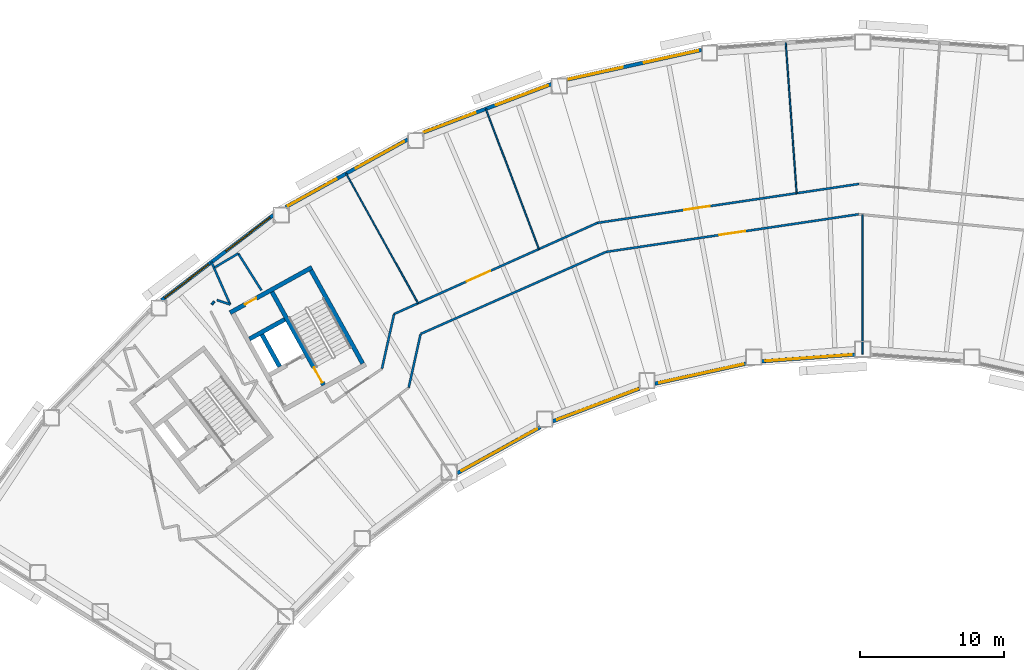
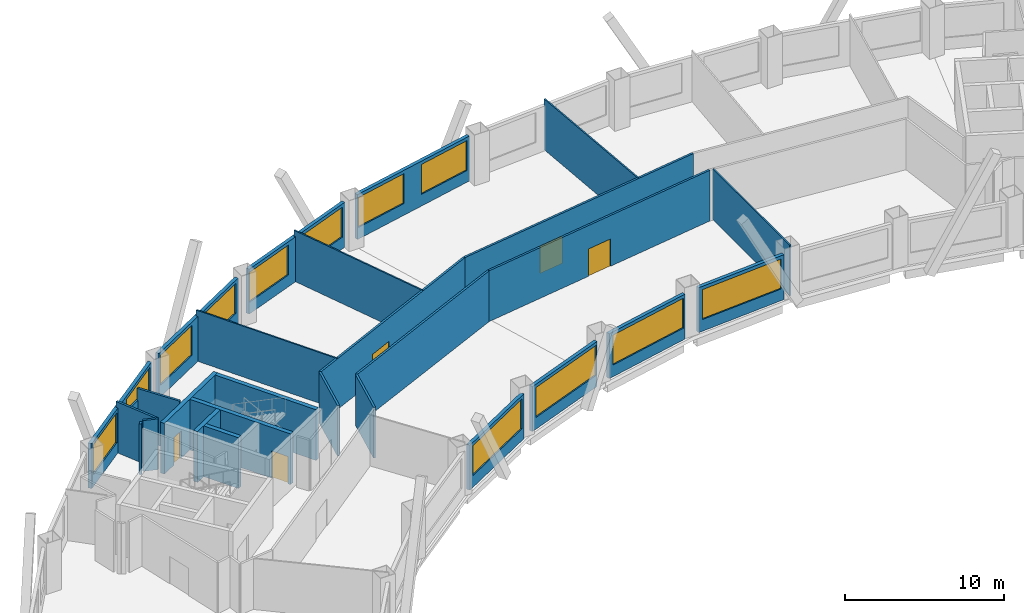
# One storey, part 4 of 11: 28 walls, 12 windows, 5 doors, 17 openings.
"""IFC4 building model written with IfcOpenShell, lengths in metres."""

from ifc_helpers import new_model, si_unit, direction, frame, frame_2d, origin, place, context, subcontext, project, spatial, rectangle, extrude, material, layer, layer_set, type_object, element, fill, save


model = new_model("IFC4")

# Units and contexts
model_context = context("Model", 3, precision=1e-05, world=origin(), true_north=direction((0.0, 1.0)))
body_context = subcontext(model_context, "Body", "Model", "MODEL_VIEW")
ifc_project = project(units=[si_unit("LENGTHUNIT", "METRE"), si_unit("AREAUNIT", "SQUARE_METRE"), si_unit("VOLUMEUNIT", "CUBIC_METRE"), si_unit("PLANEANGLEUNIT", "RADIAN"), si_unit("MASSUNIT", "GRAM", prefix="KILO")], contexts=[model_context])

# Site, building, storey
site_placement = place(None, origin())
site = spatial("IfcSite", under=ifc_project, at=site_placement, CompositionType="ELEMENT")
building_placement = place(site_placement, origin())
building = spatial("IfcBuilding", under=site, at=building_placement, Name="Tuul Gate Civic Tower", CompositionType="ELEMENT")
storey_placement = place(building_placement, frame((0.0, 0.0, 116.10009765625)))
storey = spatial("IfcBuildingStorey", under=building, at=storey_placement, Name="Level 26", CompositionType="ELEMENT", Elevation=116.10009765625)

# Wall
ifc_material_1 = material(Name="Concrete C50/60", Category="concrete")
ifc_layer_1 = layer(ifc_material_1, 0.300048828125)
ifc_layer_set_1 = layer_set([ifc_layer_1], Name="Concrete C50/60")
wall_type_1 = type_object("IfcWallType", Name="Core wall C50/60", PredefinedType="SHEAR", material=ifc_layer_set_1)
wall_1_placement = place(storey_placement, frame((-30.327392578125, -5.59716796875, 0.0), z_axis=(0.0, 0.0, 1.0), x_axis=(-0.874629840737, -0.484791338301, 0.0)))
element("IfcWall", 1, at=wall_1_placement, inside=storey, type_object=wall_type_1, Name="Core wall", PredefinedType="SHEAR", context=body_context, shape_type="SweptSolid", body=[
    extrude(rectangle(XDim=2.800048828125, YDim=0.300048828125, at=frame_2d((1.39990234375, 0.0))), origin(), (0.0, 0.0, 1.0), 3.89990234375),
])

# Wall, opening, door
wall_2_placement = place(storey_placement, frame((-28.4443359375, -1.98095703125, 0.0), z_axis=(0.0, 0.0, 1.0), x_axis=(-0.874629909008, -0.484791215132, 0.0)))
wall_2 = element("IfcWall", 2, at=wall_2_placement, inside=storey, type_object=wall_type_1, Name="Core wall", PredefinedType="SHEAR", context=body_context, shape_type="SweptSolid", body=[
    extrude(rectangle(XDim=6.5, YDim=0.300048828125, at=frame_2d((3.25, 0.0))), origin(), (0.0, 0.0, 1.0), 3.89990234375),
])
opening_1_placement = place(wall_2_placement, frame((4.425048828125, 0.0, 0.0)))
opening_1 = element("IfcOpeningElement", 3, at=opening_1_placement, cuts=wall_2, Name="Opening H-D18", PredefinedType="OPENING", context=body_context, shape_type="SweptSolid", body=[
    extrude(rectangle(XDim=0.89990234375, YDim=2.10009765625, at=frame_2d((0.449951171875, 1.050048828125))), frame((0.0, 0.16015625, 0.0), z_axis=(0.0, -1.0, 0.0), x_axis=(1.0, 0.0, 0.0)), (0.0, 0.0, 1.0), 0.320068359375),
])
ifc_material_2 = material(Name="Timber door leaf", Category="wood")
door_type_1 = type_object("IfcDoorType", Name="Door D09", OperationType="NOTDEFINED", PredefinedType="DOOR", material=ifc_material_2)
door_1_placement = place(opening_1_placement, origin())
door_1 = element("IfcDoor", 4, at=door_1_placement, inside=storey, type_object=door_type_1, Name="Door H-D18", OperationType="SINGLE_SWING_LEFT", OverallHeight=2.10009765625, OverallWidth=0.89990234375, PredefinedType="DOOR", context=body_context, shape_type="SweptSolid", body=[
    extrude(rectangle(XDim=0.89990234375, YDim=2.10009765625, at=frame_2d((0.449951171875, 1.050048828125))), frame((0.0, 0.02490234375, 0.0), z_axis=(0.0, -1.0, 0.0), x_axis=(1.0, 0.0, 0.0)), (0.0, 0.0, 1.0), 0.050048828125),
])
fill(opening_1, door_1)

# Wall
wall_3_placement = place(storey_placement, frame((-24.91552734375, -8.6572265625, 0.0), z_axis=(0.0, 0.0, 1.0), x_axis=(-0.484777133038, 0.874637714304, 0.0)))
element("IfcWall", 5, at=wall_3_placement, inside=storey, type_object=wall_type_1, Name="Core wall", PredefinedType="SHEAR", context=body_context, shape_type="SweptSolid", body=[
    extrude(rectangle(XDim=7.400146484375, YDim=0.300048828125, at=frame_2d((3.7001953125, 0.0))), origin(), (0.0, 0.0, 1.0), 3.89990234375),
])

# Wall, opening, door
wall_4_placement = place(storey_placement, frame((-27.626953125, -10.16015625, 0.0), z_axis=(0.0, 0.0, 1.0), x_axis=(-0.484751894226, 0.874651702704, 0.0)))
wall_4 = element("IfcWall", 6, at=wall_4_placement, inside=storey, type_object=wall_type_1, Name="Core wall", PredefinedType="SHEAR", context=body_context, shape_type="SweptSolid", body=[
    extrude(rectangle(XDim=7.39990234375, YDim=0.300048828125, at=frame_2d((3.699951171875, 0.0))), origin(), (0.0, 0.0, 1.0), 3.89990234375),
])
opening_2_placement = place(wall_4_placement, frame((0.199951171875, 0.0, 0.0)))
opening_2 = element("IfcOpeningElement", 7, at=opening_2_placement, cuts=wall_4, Name="Opening SD-ST-2", PredefinedType="OPENING", context=body_context, shape_type="SweptSolid", body=[
    extrude(rectangle(XDim=1.199951171875, YDim=2.10009765625, at=frame_2d((0.60009765625, 1.050048828125))), frame((0.0, 0.16015625, 0.0), z_axis=(0.0, -1.0, 0.0), x_axis=(1.0, 0.0, 0.0)), (0.0, 0.0, 1.0), 0.320068359375),
])
ifc_material_3 = material(Name="Steel", Category="steel")
door_type_2 = type_object("IfcDoorType", Name="Stair door", OperationType="NOTDEFINED", PredefinedType="DOOR", material=ifc_material_3)
door_2_placement = place(opening_2_placement, origin())
door_2 = element("IfcDoor", 8, at=door_2_placement, inside=storey, type_object=door_type_2, Name="Stair door ST-2", OperationType="SINGLE_SWING_LEFT", OverallHeight=2.10009765625, OverallWidth=1.199951171875, PredefinedType="DOOR", context=body_context, shape_type="SweptSolid", body=[
    extrude(rectangle(XDim=1.199951171875, YDim=2.10009765625, at=frame_2d((0.60009765625, 1.050048828125))), frame((0.0, 0.02490234375, 0.0), z_axis=(0.0, -1.0, 0.0), x_axis=(1.0, 0.0, 0.0)), (0.0, 0.0, 1.0), 0.050048828125),
])
fill(opening_2, door_2)

# Wall
wall_5_placement = place(storey_placement, frame((-30.680419921875, -8.8798828125, 0.0), z_axis=(0.0, 0.0, 1.0), x_axis=(-0.484724115216, 0.874667097888, 0.0)))
element("IfcWall", 9, at=wall_5_placement, inside=storey, type_object=wall_type_1, Name="Core wall", PredefinedType="SHEAR", context=body_context, shape_type="SweptSolid", body=[
    extrude(rectangle(XDim=2.550048828125, YDim=0.300048828125, at=frame_2d((1.27490234375, 0.0))), origin(), (0.0, 0.0, 1.0), 3.89990234375),
])

# Wall, opening, door
ifc_material_4 = material(Name="Gypsum board partition")
ifc_layer_2 = layer(ifc_material_4, 0.14990234375)
ifc_layer_set_2 = layer_set([ifc_layer_2], Name="Gypsum board partition")
wall_type_2 = type_object("IfcWallType", Name="Corridor wall P150", PredefinedType="PARTITIONING", material=ifc_layer_set_2)
wall_6_placement = place(storey_placement, frame((-8.611083984375, 1.110107421875, 0.0), z_axis=(0.0, 0.0, 1.0), x_axis=(0.989097137004, 0.147264569974, 0.0)))
wall_6 = element("IfcWall", 10, at=wall_6_placement, inside=storey, type_object=wall_type_2, Name="p023", PredefinedType="PARTITIONING", context=body_context, shape_type="SweptSolid", body=[
    extrude(rectangle(XDim=18.377197265625, YDim=0.14990234375, at=frame_2d((9.1884765625, 0.0))), origin(), (0.0, 0.0, 1.0), 3.89990234375),
])
opening_3_placement = place(wall_6_placement, frame((6.1005859375, 0.0, 0.0)))
opening_3 = element("IfcOpeningElement", 11, at=opening_3_placement, cuts=wall_6, Name="Opening H-D07", PredefinedType="OPENING", context=body_context, shape_type="SweptSolid", body=[
    extrude(rectangle(XDim=1.800048828125, YDim=2.10009765625, at=frame_2d((0.89990234375, 1.050048828125))), frame((0.0, 0.0849609375, 0.0), z_axis=(0.0, -1.0, 0.0), x_axis=(1.0, 0.0, 0.0)), (0.0, 0.0, 1.0), 0.169921875),
])
ifc_material_5 = material(Name="Timber door leaf, double", Category="wood")
door_type_3 = type_object("IfcDoorType", Name="Door D18", OperationType="DOUBLE_DOOR_SINGLE_SWING", PredefinedType="DOOR", material=ifc_material_5)
door_3_placement = place(opening_3_placement, origin())
door_3 = element("IfcDoor", 12, at=door_3_placement, inside=storey, type_object=door_type_3, Name="Door H-D07", OperationType="DOUBLE_DOOR_SINGLE_SWING", OverallHeight=2.10009765625, OverallWidth=1.800048828125, PredefinedType="DOOR", context=body_context, shape_type="SweptSolid", body=[
    extrude(rectangle(XDim=1.800048828125, YDim=2.10009765625, at=frame_2d((0.89990234375, 1.050048828125))), frame((0.0, 0.02490234375, 0.0), z_axis=(0.0, -1.0, 0.0), x_axis=(1.0, 0.0, 0.0)), (0.0, 0.0, 1.0), 0.050048828125),
])
fill(opening_3, door_3)

wall_7_placement = place(storey_placement, frame((-22.732421875, -5.221435546875, 0.0), z_axis=(0.0, 0.0, 1.0), x_axis=(0.912478254824, 0.409125206352, 0.0)))
wall_7 = element("IfcWall", 13, at=wall_7_placement, inside=storey, type_object=wall_type_2, Name="p025", PredefinedType="PARTITIONING", context=body_context, shape_type="SweptSolid", body=[
    extrude(rectangle(XDim=15.475830078125, YDim=0.14990234375, at=frame_2d((7.73779296875, 0.0))), origin(), (0.0, 0.0, 1.0), 3.89990234375),
])
opening_4_placement = place(wall_7_placement, frame((5.525390625, 0.0, 0.0)))
opening_4 = element("IfcOpeningElement", 14, at=opening_4_placement, cuts=wall_7, Name="Opening H-D08", PredefinedType="OPENING", context=body_context, shape_type="SweptSolid", body=[
    extrude(rectangle(XDim=1.800048828125, YDim=2.10009765625, at=frame_2d((0.89990234375, 1.050048828125))), frame((0.0, 0.0849609375, 0.0), z_axis=(0.0, -1.0, 0.0), x_axis=(1.0, 0.0, 0.0)), (0.0, 0.0, 1.0), 0.169921875),
])
door_4_placement = place(opening_4_placement, origin())
door_4 = element("IfcDoor", 15, at=door_4_placement, inside=storey, type_object=door_type_3, Name="Door H-D08", OperationType="DOUBLE_DOOR_SINGLE_SWING", OverallHeight=2.10009765625, OverallWidth=1.800048828125, PredefinedType="DOOR", context=body_context, shape_type="SweptSolid", body=[
    extrude(rectangle(XDim=1.800048828125, YDim=2.10009765625, at=frame_2d((0.89990234375, 1.050048828125))), frame((0.0, 0.02490234375, 0.0), z_axis=(0.0, -1.0, 0.0), x_axis=(1.0, 0.0, 0.0)), (0.0, 0.0, 1.0), 0.050048828125),
])
fill(opening_4, door_4)

# Walls
wall_8_placement = place(storey_placement, frame((-23.57421875, -9.015380859375, 0.0), z_axis=(0.0, 0.0, 1.0), x_axis=(0.216611161304, 0.976257960172, 0.0)))
element("IfcWall", 16, at=wall_8_placement, inside=storey, type_object=wall_type_2, Name="p028", PredefinedType="PARTITIONING", context=body_context, shape_type="SweptSolid", body=[
    extrude(rectangle(XDim=3.88623046875, YDim=0.14990234375, at=frame_2d((1.943115234375, 0.0))), origin(), (0.0, 0.0, 1.0), 3.89990234375),
])
wall_9_placement = place(storey_placement, frame((-33.56298828125, -1.016845703125, 0.0), z_axis=(0.0, 0.0, 1.0), x_axis=(0.533153011453, -0.846018833347, 0.0)))
element("IfcWall", 17, at=wall_9_placement, inside=storey, type_object=wall_type_2, Name="p030", PredefinedType="PARTITIONING", context=body_context, shape_type="SweptSolid", body=[
    extrude(rectangle(XDim=3.030029296875, YDim=0.14990234375, at=frame_2d((1.51513671875, 0.0))), origin(), (0.0, 0.0, 1.0), 3.89990234375),
])
wall_10_placement = place(storey_placement, frame((-35.422119140625, -1.613037109375, 0.0), z_axis=(0.0, 0.0, 1.0), x_axis=(0.40375398876, -0.914867595098, 0.0)))
element("IfcWall", 18, at=wall_10_placement, inside=storey, type_object=wall_type_2, Name="p033", PredefinedType="PARTITIONING", context=body_context, shape_type="SweptSolid", body=[
    extrude(rectangle(XDim=3.222412109375, YDim=0.14990234375, at=frame_2d((1.611328125, 0.0))), origin(), (0.0, 0.0, 1.0), 3.89990234375),
])
wall_11_placement = place(storey_placement, frame((-35.044677734375, -4.2470703125, 0.0), z_axis=(0.0, 0.0, 1.0), x_axis=(0.946789524238, -0.321853377787, 0.0)))
element("IfcWall", 19, at=wall_11_placement, inside=storey, type_object=wall_type_2, Name="p034", PredefinedType="PARTITIONING", context=body_context, shape_type="SweptSolid", body=[
    extrude(rectangle(XDim=0.9755859375, YDim=0.14990234375, at=frame_2d((0.48779296875, 0.0))), origin(), (0.0, 0.0, 1.0), 3.89990234375),
])
wall_12_placement = place(storey_placement, frame((-35.398193359375, -4.55029296875, 0.0), z_axis=(0.0, 0.0, 1.0), x_axis=(0.637454263695, 0.770488196988, 0.0)))
element("IfcWall", 20, at=wall_12_placement, inside=storey, type_object=wall_type_2, Name="p035", PredefinedType="PARTITIONING", context=body_context, shape_type="SweptSolid", body=[
    extrude(rectangle(XDim=0.26416015625, YDim=0.14990234375, at=frame_2d((0.132080078125, 0.0))), origin(), (0.0, 0.0, 1.0), 3.89990234375),
])
wall_13_placement = place(storey_placement, frame((-21.7158203125, -10.33349609375, 0.0), z_axis=(0.0, 0.0, 1.0), x_axis=(0.216652269261, 0.97624883827, 0.0)))
element("IfcWall", 21, at=wall_13_placement, inside=storey, type_object=wall_type_2, Name="p071", PredefinedType="PARTITIONING", context=body_context, shape_type="SweptSolid", body=[
    extrude(rectangle(XDim=3.81005859375, YDim=0.14990234375, at=frame_2d((1.905029296875, 0.0))), origin(), (0.0, 0.0, 1.0), 3.89990234375),
])
wall_14_placement = place(storey_placement, frame((-20.87841796875, -6.599365234375, 0.0), z_axis=(0.0, 0.0, 1.0), x_axis=(0.914544225777, 0.404485919529, 0.0)))
element("IfcWall", 22, at=wall_14_placement, inside=storey, type_object=wall_type_2, Name="p072", PredefinedType="PARTITIONING", context=body_context, shape_type="SweptSolid", body=[
    extrude(rectangle(XDim=14.069580078125, YDim=0.14990234375, at=frame_2d((7.03466796875, 0.0))), origin(), (0.0, 0.0, 1.0), 3.89990234375),
])

# Wall, opening, door
wall_15_placement = place(storey_placement, frame((-8.00537109375, -0.90673828125, 0.0), z_axis=(0.0, 0.0, 1.0), x_axis=(0.989069516595, 0.147449962167, 0.0)))
wall_15 = element("IfcWall", 23, at=wall_15_placement, inside=storey, type_object=wall_type_2, Name="p073", PredefinedType="PARTITIONING", context=body_context, shape_type="SweptSolid", body=[
    extrude(rectangle(XDim=17.738037109375, YDim=0.14990234375, at=frame_2d((8.869140625, 0.0))), origin(), (0.0, 0.0, 1.0), 3.89990234375),
])
opening_5_placement = place(wall_15_placement, frame((7.968994140625, 0.0, 0.0)))
opening_5 = element("IfcOpeningElement", 24, at=opening_5_placement, cuts=wall_15, Name="Opening H-D12", PredefinedType="OPENING", context=body_context, shape_type="SweptSolid", body=[
    extrude(rectangle(XDim=1.800048828125, YDim=2.10009765625, at=frame_2d((0.89990234375, 1.050048828125))), frame((0.0, 0.0849609375, 0.0), z_axis=(0.0, -1.0, 0.0), x_axis=(1.0, 0.0, 0.0)), (0.0, 0.0, 1.0), 0.169921875),
])
door_5_placement = place(opening_5_placement, frame((1.800048828125, 0.0, 0.0), z_axis=(0.0, 0.0, 1.0), x_axis=(-1.0, 0.0, 0.0)))
door_5 = element("IfcDoor", 25, at=door_5_placement, inside=storey, type_object=door_type_3, Name="Door H-D12", OperationType="DOUBLE_DOOR_SINGLE_SWING", OverallHeight=2.10009765625, OverallWidth=1.800048828125, PredefinedType="DOOR", context=body_context, shape_type="SweptSolid", body=[
    extrude(rectangle(XDim=1.800048828125, YDim=2.10009765625, at=frame_2d((0.900146484375, 1.050048828125))), frame((0.0, 0.02490234375, 0.0), z_axis=(0.0, -1.0, 0.0), x_axis=(1.0, 0.0, 0.0)), (0.0, 0.0, 1.0), 0.050048828125),
])
fill(opening_5, door_5)

# Wall
ifc_material_6 = material(Name="Gypsum board partition")
ifc_layer_3 = layer(ifc_material_6, 0.14990234375)
ifc_layer_set_3 = layer_set([ifc_layer_3], Name="Gypsum board partition")
wall_type_3 = type_object("IfcWallType", Name="Corridor wall P150 3000 HIGH", PredefinedType="PARTITIONING", material=ifc_layer_set_3)
wall_16_placement = place(storey_placement, frame((-35.21240234375, -1.9912109375, 0.0), z_axis=(0.0, 0.0, 1.0), x_axis=(0.860918956653, 0.50874212532, 0.0)))
element("IfcWall", 26, at=wall_16_placement, inside=storey, type_object=wall_type_3, Name="p032", PredefinedType="PARTITIONING", context=body_context, shape_type="SweptSolid", body=[
    extrude(rectangle(XDim=1.92578125, YDim=0.14990234375, at=frame_2d((0.962890625, 0.0))), origin(), (0.0, 0.0, 1.0), 3.0),
])

# Wall, openings, windows
ifc_material_7 = material(Name="Precast concrete C40/50", Category="concrete")
ifc_layer_4 = layer(ifc_material_7, 0.25)
ifc_layer_set_4 = layer_set([ifc_layer_4], Name="Precast concrete C40/50")
wall_type_4 = type_object("IfcWallType", Name="External wall", PredefinedType="STANDARD", material=ifc_layer_set_4)
wall_17_placement = place(storey_placement, frame((-1.37109375, 13.126220703125, 0.0), z_axis=(0.0, 0.0, 1.0), x_axis=(-0.976556736289, -0.215260170047, 0.0)))
wall_17 = element("IfcWall", 27, at=wall_17_placement, inside=storey, type_object=wall_type_4, Name="External wall", PredefinedType="STANDARD", context=body_context, shape_type="SweptSolid", body=[
    extrude(rectangle(XDim=9.55078125, YDim=0.25, at=frame_2d((4.775390625, 0.0))), origin(), (0.0, 0.0, 1.0), 3.449951171875),
])
opening_6_placement = place(wall_17_placement, frame((0.236328125, 0.0, 0.89990234375)))
opening_6 = element("IfcOpeningElement", 28, at=opening_6_placement, cuts=wall_17, Name="Opening W22", PredefinedType="OPENING", context=body_context, shape_type="SweptSolid", body=[
    extrude(rectangle(XDim=3.85009765625, YDim=2.300048828125, at=frame_2d((1.925048828125, 1.14990234375))), frame((0.0, 0.135009765625, 0.0), z_axis=(0.0, -1.0, 0.0), x_axis=(1.0, 0.0, 0.0)), (0.0, 0.0, 1.0), 0.27001953125),
])
opening_7_placement = place(wall_17_placement, frame((5.607177734375, 0.0, 0.89990234375)))
opening_7 = element("IfcOpeningElement", 29, at=opening_7_placement, cuts=wall_17, Name="Opening W22", PredefinedType="OPENING", context=body_context, shape_type="SweptSolid", body=[
    extrude(rectangle(XDim=3.85009765625, YDim=2.300048828125, at=frame_2d((1.925048828125, 1.14990234375))), frame((0.0, 0.135009765625, 0.0), z_axis=(0.0, -1.0, 0.0), x_axis=(1.0, 0.0, 0.0)), (0.0, 0.0, 1.0), 0.27001953125),
])
ifc_material_8 = material(Name="Glass", Category="glass")
window_type_1 = type_object("IfcWindowType", Name="Window W22 3850 x 2300", PartitioningType="SINGLE_PANEL", PredefinedType="WINDOW", material=ifc_material_8)
window_1_placement = place(opening_6_placement, origin())
window_1 = element("IfcWindow", 30, at=window_1_placement, inside=storey, type_object=window_type_1, Name="Window", OverallHeight=2.300048828125, OverallWidth=3.85009765625, PartitioningType="SINGLE_PANEL", PredefinedType="WINDOW", context=body_context, shape_type="SweptSolid", body=[
    extrude(rectangle(XDim=3.85009765625, YDim=2.300048828125, at=frame_2d((1.925048828125, 1.14990234375))), frame((0.0, 0.030029296875, 0.0), z_axis=(0.0, -1.0, 0.0), x_axis=(1.0, 0.0, 0.0)), (0.0, 0.0, 1.0), 0.06005859375),
])
fill(opening_6, window_1)
window_2_placement = place(opening_7_placement, origin())
window_2 = element("IfcWindow", 31, at=window_2_placement, inside=storey, type_object=window_type_1, Name="Window", OverallHeight=2.300048828125, OverallWidth=3.85009765625, PartitioningType="SINGLE_PANEL", PredefinedType="WINDOW", context=body_context, shape_type="SweptSolid", body=[
    extrude(rectangle(XDim=3.85009765625, YDim=2.300048828125, at=frame_2d((1.925048828125, 1.14990234375))), frame((0.0, 0.030029296875, 0.0), z_axis=(0.0, -1.0, 0.0), x_axis=(1.0, 0.0, 0.0)), (0.0, 0.0, 1.0), 0.06005859375),
])
fill(opening_7, window_2)

wall_18_placement = place(storey_placement, frame((-11.798095703125, 10.755859375, 0.0), z_axis=(0.0, 0.0, 1.0), x_axis=(-0.935382365762, -0.353637992617, 0.0)))
wall_18 = element("IfcWall", 32, at=wall_18_placement, inside=storey, type_object=wall_type_4, Name="External wall", PredefinedType="STANDARD", context=body_context, shape_type="SweptSolid", body=[
    extrude(rectangle(XDim=9.51806640625, YDim=0.25, at=frame_2d((4.759033203125, 0.0))), origin(), (0.0, 0.0, 1.0), 3.449951171875),
])
opening_8_placement = place(wall_18_placement, frame((0.262451171875, 0.0, 0.89990234375)))
opening_8 = element("IfcOpeningElement", 33, at=opening_8_placement, cuts=wall_18, Name="Opening W22", PredefinedType="OPENING", context=body_context, shape_type="SweptSolid", body=[
    extrude(rectangle(XDim=3.85009765625, YDim=2.300048828125, at=frame_2d((1.925048828125, 1.14990234375))), frame((0.0, 0.135009765625, 0.0), z_axis=(0.0, -1.0, 0.0), x_axis=(1.0, 0.0, 0.0)), (0.0, 0.0, 1.0), 0.27001953125),
])
opening_9_placement = place(wall_18_placement, frame((5.634033203125, 0.0, 0.89990234375)))
opening_9 = element("IfcOpeningElement", 34, at=opening_9_placement, cuts=wall_18, Name="Opening W22", PredefinedType="OPENING", context=body_context, shape_type="SweptSolid", body=[
    extrude(rectangle(XDim=3.85009765625, YDim=2.300048828125, at=frame_2d((1.925048828125, 1.14990234375))), frame((0.0, 0.135009765625, 0.0), z_axis=(0.0, -1.0, 0.0), x_axis=(1.0, 0.0, 0.0)), (0.0, 0.0, 1.0), 0.27001953125),
])
window_3_placement = place(opening_8_placement, origin())
window_3 = element("IfcWindow", 35, at=window_3_placement, inside=storey, type_object=window_type_1, Name="Window", OverallHeight=2.300048828125, OverallWidth=3.85009765625, PartitioningType="SINGLE_PANEL", PredefinedType="WINDOW", context=body_context, shape_type="SweptSolid", body=[
    extrude(rectangle(XDim=3.85009765625, YDim=2.300048828125, at=frame_2d((1.925048828125, 1.14990234375))), frame((0.0, 0.030029296875, 0.0), z_axis=(0.0, -1.0, 0.0), x_axis=(1.0, 0.0, 0.0)), (0.0, 0.0, 1.0), 0.06005859375),
])
fill(opening_8, window_3)
window_4_placement = place(opening_9_placement, origin())
window_4 = element("IfcWindow", 36, at=window_4_placement, inside=storey, type_object=window_type_1, Name="Window", OverallHeight=2.300048828125, OverallWidth=3.85009765625, PartitioningType="SINGLE_PANEL", PredefinedType="WINDOW", context=body_context, shape_type="SweptSolid", body=[
    extrude(rectangle(XDim=3.85009765625, YDim=2.300048828125, at=frame_2d((1.925048828125, 1.14990234375))), frame((0.0, 0.030029296875, 0.0), z_axis=(0.0, -1.0, 0.0), x_axis=(1.0, 0.0, 0.0)), (0.0, 0.0, 1.0), 0.06005859375),
])
fill(opening_9, window_4)

wall_19_placement = place(storey_placement, frame((-21.784912109375, 6.907470703125, 0.0), z_axis=(0.0, 0.0, 1.0), x_axis=(-0.874619623874, -0.484809770461, 0.0)))
wall_19 = element("IfcWall", 37, at=wall_19_placement, inside=storey, type_object=wall_type_4, Name="External wall", PredefinedType="STANDARD", context=body_context, shape_type="SweptSolid", body=[
    extrude(rectangle(XDim=9.680908203125, YDim=0.25, at=frame_2d((4.84033203125, 0.0))), origin(), (0.0, 0.0, 1.0), 3.449951171875),
])
opening_10_placement = place(wall_19_placement, frame((0.279541015625, 0.0, 0.89990234375)))
opening_10 = element("IfcOpeningElement", 38, at=opening_10_placement, cuts=wall_19, Name="Opening W22", PredefinedType="OPENING", context=body_context, shape_type="SweptSolid", body=[
    extrude(rectangle(XDim=3.85009765625, YDim=2.300048828125, at=frame_2d((1.925048828125, 1.14990234375))), frame((0.0, 0.135009765625, 0.0), z_axis=(0.0, -1.0, 0.0), x_axis=(1.0, 0.0, 0.0)), (0.0, 0.0, 1.0), 0.27001953125),
])
opening_11_placement = place(wall_19_placement, frame((5.650634765625, 0.0, 0.89990234375)))
opening_11 = element("IfcOpeningElement", 39, at=opening_11_placement, cuts=wall_19, Name="Opening W22", PredefinedType="OPENING", context=body_context, shape_type="SweptSolid", body=[
    extrude(rectangle(XDim=3.85009765625, YDim=2.300048828125, at=frame_2d((1.925048828125, 1.14990234375))), frame((0.0, 0.135009765625, 0.0), z_axis=(0.0, -1.0, 0.0), x_axis=(1.0, 0.0, 0.0)), (0.0, 0.0, 1.0), 0.27001953125),
])
window_5_placement = place(opening_10_placement, origin())
window_5 = element("IfcWindow", 40, at=window_5_placement, inside=storey, type_object=window_type_1, Name="Window", OverallHeight=2.300048828125, OverallWidth=3.85009765625, PartitioningType="SINGLE_PANEL", PredefinedType="WINDOW", context=body_context, shape_type="SweptSolid", body=[
    extrude(rectangle(XDim=3.85009765625, YDim=2.300048828125, at=frame_2d((1.925048828125, 1.14990234375))), frame((0.0, 0.030029296875, 0.0), z_axis=(0.0, -1.0, 0.0), x_axis=(1.0, 0.0, 0.0)), (0.0, 0.0, 1.0), 0.06005859375),
])
fill(opening_10, window_5)
window_6_placement = place(opening_11_placement, origin())
window_6 = element("IfcWindow", 41, at=window_6_placement, inside=storey, type_object=window_type_1, Name="Window", OverallHeight=2.300048828125, OverallWidth=3.85009765625, PartitioningType="SINGLE_PANEL", PredefinedType="WINDOW", context=body_context, shape_type="SweptSolid", body=[
    extrude(rectangle(XDim=3.85009765625, YDim=2.300048828125, at=frame_2d((1.925048828125, 1.14990234375))), frame((0.0, 0.030029296875, 0.0), z_axis=(0.0, -1.0, 0.0), x_axis=(1.0, 0.0, 0.0)), (0.0, 0.0, 1.0), 0.06005859375),
])
fill(opening_11, window_6)

wall_20_placement = place(storey_placement, frame((-31.1240234375, 1.6533203125, 0.0), z_axis=(0.0, 0.0, 1.0), x_axis=(-0.795622492649, -0.605792744419, 0.0)))
wall_20 = element("IfcWall", 42, at=wall_20_placement, inside=storey, type_object=wall_type_4, Name="External wall", PredefinedType="STANDARD", context=body_context, shape_type="SweptSolid", body=[
    extrude(rectangle(XDim=9.751220703125, YDim=0.25, at=frame_2d((4.87548828125, 0.0))), origin(), (0.0, 0.0, 1.0), 3.449951171875),
])
opening_12_placement = place(wall_20_placement, frame((0.283447265625, 0.0, 0.89990234375)))
opening_12 = element("IfcOpeningElement", 43, at=opening_12_placement, cuts=wall_20, Name="Opening W22", PredefinedType="OPENING", context=body_context, shape_type="SweptSolid", body=[
    extrude(rectangle(XDim=3.85009765625, YDim=2.300048828125, at=frame_2d((1.925048828125, 1.14990234375))), frame((0.0, 0.135009765625, 0.0), z_axis=(0.0, -1.0, 0.0), x_axis=(1.0, 0.0, 0.0)), (0.0, 0.0, 1.0), 0.27001953125),
])
opening_13_placement = place(wall_20_placement, frame((5.65478515625, 0.0, 0.89990234375)))
opening_13 = element("IfcOpeningElement", 44, at=opening_13_placement, cuts=wall_20, Name="Opening W22", PredefinedType="OPENING", context=body_context, shape_type="SweptSolid", body=[
    extrude(rectangle(XDim=3.85009765625, YDim=2.300048828125, at=frame_2d((1.925048828125, 1.14990234375))), frame((0.0, 0.135009765625, 0.0), z_axis=(0.0, -1.0, 0.0), x_axis=(1.0, 0.0, 0.0)), (0.0, 0.0, 1.0), 0.27001953125),
])
window_7_placement = place(opening_12_placement, origin())
window_7 = element("IfcWindow", 45, at=window_7_placement, inside=storey, type_object=window_type_1, Name="Window", OverallHeight=2.300048828125, OverallWidth=3.85009765625, PartitioningType="SINGLE_PANEL", PredefinedType="WINDOW", context=body_context, shape_type="SweptSolid", body=[
    extrude(rectangle(XDim=3.85009765625, YDim=2.300048828125, at=frame_2d((1.925048828125, 1.14990234375))), frame((0.0, 0.030029296875, 0.0), z_axis=(0.0, -1.0, 0.0), x_axis=(1.0, 0.0, 0.0)), (0.0, 0.0, 1.0), 0.06005859375),
])
fill(opening_12, window_7)
window_8_placement = place(opening_13_placement, origin())
window_8 = element("IfcWindow", 46, at=window_8_placement, inside=storey, type_object=window_type_1, Name="Window", OverallHeight=2.300048828125, OverallWidth=3.85009765625, PartitioningType="SINGLE_PANEL", PredefinedType="WINDOW", context=body_context, shape_type="SweptSolid", body=[
    extrude(rectangle(XDim=3.85009765625, YDim=2.300048828125, at=frame_2d((1.925048828125, 1.14990234375))), frame((0.0, 0.030029296875, 0.0), z_axis=(0.0, -1.0, 0.0), x_axis=(1.0, 0.0, 0.0)), (0.0, 0.0, 1.0), 0.06005859375),
])
fill(opening_13, window_8)

# Wall, opening, window
wall_21_placement = place(storey_placement, frame((-18.347900390625, -16.2841796875, 0.0), z_axis=(0.0, 0.0, 1.0), x_axis=(0.874603961928, 0.484838024272, 0.0)))
wall_21 = element("IfcWall", 47, at=wall_21_placement, inside=storey, type_object=wall_type_4, Name="External wall", PredefinedType="STANDARD", context=body_context, shape_type="SweptSolid", body=[
    extrude(rectangle(XDim=6.594482421875, YDim=0.25, at=frame_2d((3.29736328125, 0.0))), origin(), (0.0, 0.0, 1.0), 3.449951171875),
])
opening_14_placement = place(wall_21_placement, frame((0.34765625, 0.0, 0.89990234375)))
opening_14 = element("IfcOpeningElement", 48, at=opening_14_placement, cuts=wall_21, Name="Opening W26", PredefinedType="OPENING", context=body_context, shape_type="SweptSolid", body=[
    extrude(rectangle(XDim=6.0, YDim=2.300048828125, at=frame_2d((3.0, 1.14990234375))), frame((0.0, 0.135009765625, 0.0), z_axis=(0.0, -1.0, 0.0), x_axis=(1.0, 0.0, 0.0)), (0.0, 0.0, 1.0), 0.27001953125),
])
ifc_material_9 = material(Name="Glass", Category="glass")
window_type_2 = type_object("IfcWindowType", Name="Window W26 6000 x 2300", PartitioningType="SINGLE_PANEL", PredefinedType="WINDOW", material=ifc_material_9)
window_9_placement = place(opening_14_placement, origin())
window_9 = element("IfcWindow", 49, at=window_9_placement, inside=storey, type_object=window_type_2, Name="Window", OverallHeight=2.300048828125, OverallWidth=6.0, PartitioningType="SINGLE_PANEL", PredefinedType="WINDOW", context=body_context, shape_type="SweptSolid", body=[
    extrude(rectangle(XDim=6.0, YDim=2.300048828125, at=frame_2d((3.0, 1.14990234375))), frame((0.0, 0.030029296875, 0.0), z_axis=(0.0, -1.0, 0.0), x_axis=(1.0, 0.0, 0.0)), (0.0, 0.0, 1.0), 0.06005859375),
])
fill(opening_14, window_9)

wall_22_placement = place(storey_placement, frame((-11.7080078125, -12.67626953125, 0.0), z_axis=(0.0, 0.0, 1.0), x_axis=(0.935366053459, 0.353681136106, 0.0)))
wall_22 = element("IfcWall", 50, at=wall_22_placement, inside=storey, type_object=wall_type_4, Name="External wall", PredefinedType="STANDARD", context=body_context, shape_type="SweptSolid", body=[
    extrude(rectangle(XDim=6.429931640625, YDim=0.25, at=frame_2d((3.21484375, 0.0))), origin(), (0.0, 0.0, 1.0), 3.449951171875),
])
opening_15_placement = place(wall_22_placement, frame((0.3310546875, 0.0, 0.89990234375)))
opening_15 = element("IfcOpeningElement", 51, at=opening_15_placement, cuts=wall_22, Name="Opening W26", PredefinedType="OPENING", context=body_context, shape_type="SweptSolid", body=[
    extrude(rectangle(XDim=6.0, YDim=2.300048828125, at=frame_2d((3.0, 1.14990234375))), frame((0.0, 0.135009765625, 0.0), z_axis=(0.0, -1.0, 0.0), x_axis=(1.0, 0.0, 0.0)), (0.0, 0.0, 1.0), 0.27001953125),
])
window_10_placement = place(opening_15_placement, origin())
window_10 = element("IfcWindow", 52, at=window_10_placement, inside=storey, type_object=window_type_2, Name="Window", OverallHeight=2.300048828125, OverallWidth=6.0, PartitioningType="SINGLE_PANEL", PredefinedType="WINDOW", context=body_context, shape_type="SweptSolid", body=[
    extrude(rectangle(XDim=6.0, YDim=2.300048828125, at=frame_2d((3.0, 1.14990234375))), frame((0.0, 0.030029296875, 0.0), z_axis=(0.0, -1.0, 0.0), x_axis=(1.0, 0.0, 0.0)), (0.0, 0.0, 1.0), 0.06005859375),
])
fill(opening_15, window_10)

wall_23_placement = place(storey_placement, frame((-4.60693359375, -10.063232421875, 0.0), z_axis=(0.0, 0.0, 1.0), x_axis=(0.976562304854, 0.215234905949, 0.0)))
wall_23 = element("IfcWall", 53, at=wall_23_placement, inside=storey, type_object=wall_type_4, Name="External wall", PredefinedType="STANDARD", context=body_context, shape_type="SweptSolid", body=[
    extrude(rectangle(XDim=6.465576171875, YDim=0.25, at=frame_2d((3.23291015625, 0.0))), origin(), (0.0, 0.0, 1.0), 3.449951171875),
])
opening_16_placement = place(wall_23_placement, frame((0.304443359375, 0.0, 0.89990234375)))
opening_16 = element("IfcOpeningElement", 54, at=opening_16_placement, cuts=wall_23, Name="Opening W26", PredefinedType="OPENING", context=body_context, shape_type="SweptSolid", body=[
    extrude(rectangle(XDim=6.0, YDim=2.300048828125, at=frame_2d((3.0, 1.14990234375))), frame((0.0, 0.135009765625, 0.0), z_axis=(0.0, -1.0, 0.0), x_axis=(1.0, 0.0, 0.0)), (0.0, 0.0, 1.0), 0.27001953125),
])
window_11_placement = place(opening_16_placement, origin())
window_11 = element("IfcWindow", 55, at=window_11_placement, inside=storey, type_object=window_type_2, Name="Window", OverallHeight=2.300048828125, OverallWidth=6.0, PartitioningType="SINGLE_PANEL", PredefinedType="WINDOW", context=body_context, shape_type="SweptSolid", body=[
    extrude(rectangle(XDim=6.0, YDim=2.300048828125, at=frame_2d((3.0, 1.14990234375))), frame((0.0, 0.030029296875, 0.0), z_axis=(0.0, -1.0, 0.0), x_axis=(1.0, 0.0, 0.0)), (0.0, 0.0, 1.0), 0.06005859375),
])
fill(opening_16, window_11)

wall_24_placement = place(storey_placement, frame((2.806884765625, -8.503662109375, 0.0), z_axis=(0.0, 0.0, 1.0), x_axis=(0.997392965156, 0.072161437464, 0.0)))
wall_24 = element("IfcWall", 56, at=wall_24_placement, inside=storey, type_object=wall_type_4, Name="External wall", PredefinedType="STANDARD", context=body_context, shape_type="SweptSolid", body=[
    extrude(rectangle(XDim=6.489013671875, YDim=0.25, at=frame_2d((3.24462890625, 0.0))), origin(), (0.0, 0.0, 1.0), 3.449951171875),
])
opening_17_placement = place(wall_24_placement, frame((0.26806640625, 0.0, 0.89990234375)))
opening_17 = element("IfcOpeningElement", 57, at=opening_17_placement, cuts=wall_24, Name="Opening W26", PredefinedType="OPENING", context=body_context, shape_type="SweptSolid", body=[
    extrude(rectangle(XDim=6.0, YDim=2.300048828125, at=frame_2d((3.0, 1.14990234375))), frame((0.0, 0.135009765625, 0.0), z_axis=(0.0, -1.0, 0.0), x_axis=(1.0, 0.0, 0.0)), (0.0, 0.0, 1.0), 0.27001953125),
])
window_12_placement = place(opening_17_placement, origin())
window_12 = element("IfcWindow", 58, at=window_12_placement, inside=storey, type_object=window_type_2, Name="Window", OverallHeight=2.300048828125, OverallWidth=6.0, PartitioningType="SINGLE_PANEL", PredefinedType="WINDOW", context=body_context, shape_type="SweptSolid", body=[
    extrude(rectangle(XDim=6.0, YDim=2.300048828125, at=frame_2d((3.0, 1.14990234375))), frame((0.0, 0.030029296875, 0.0), z_axis=(0.0, -1.0, 0.0), x_axis=(1.0, 0.0, 0.0)), (0.0, 0.0, 1.0), 0.06005859375),
])
fill(opening_17, window_12)

# Walls
ifc_material_10 = material(Name="Gypsum board partition")
ifc_layer_5 = layer(ifc_material_10, 0.10009765625)
ifc_layer_set_5 = layer_set([ifc_layer_5], Name="Gypsum board partition")
wall_type_5 = type_object("IfcWallType", Name="Partition P100", PredefinedType="PARTITIONING", material=ifc_layer_set_5)
wall_25_placement = place(storey_placement, frame((4.480224609375, 13.6298828125, 0.0), z_axis=(0.0, 0.0, 1.0), x_axis=(0.072251433498, -0.997386449857, 0.0)))
element("IfcWall", 59, at=wall_25_placement, inside=storey, type_object=wall_type_5, Name="p022", PredefinedType="PARTITIONING", context=body_context, shape_type="SweptSolid", body=[
    extrude(rectangle(XDim=10.485107421875, YDim=0.10009765625, at=frame_2d((5.24267578125, 0.0))), origin(), (0.0, 0.0, 1.0), 3.89990234375),
])
wall_26_placement = place(storey_placement, frame((-16.358154296875, 9.037109375, 0.0), z_axis=(0.0, 0.0, 1.0), x_axis=(0.353717627007, -0.935352254685, 0.0)))
element("IfcWall", 60, at=wall_26_placement, inside=storey, type_object=wall_type_5, Name="p024", PredefinedType="PARTITIONING", context=body_context, shape_type="SweptSolid", body=[
    extrude(rectangle(XDim=10.421630859375, YDim=0.10009765625, at=frame_2d((5.2109375, 0.0))), origin(), (0.0, 0.0, 1.0), 3.89990234375),
])
wall_27_placement = place(storey_placement, frame((-26.064453125, 4.541015625, 0.0), z_axis=(0.0, 0.0, 1.0), x_axis=(0.484818232366, -0.874614933308, 0.0)))
element("IfcWall", 61, at=wall_27_placement, inside=storey, type_object=wall_type_5, Name="p026", PredefinedType="PARTITIONING", context=body_context, shape_type="SweptSolid", body=[
    extrude(rectangle(XDim=10.30810546875, YDim=0.10009765625, at=frame_2d((5.154052734375, 0.0))), origin(), (0.0, 0.0, 1.0), 3.89990234375),
])
wall_28_placement = place(storey_placement, frame((9.828857421875, -8.000732421875, 0.0), z_axis=(0.0, 0.0, 1.0), x_axis=(0.0, 1.0, 0.0)))
element("IfcWall", 62, at=wall_28_placement, inside=storey, type_object=wall_type_5, Name="p054", PredefinedType="PARTITIONING", context=body_context, shape_type="SweptSolid", body=[
    extrude(rectangle(XDim=9.682373046875, YDim=0.10009765625, at=frame_2d((4.84130859375, 0.0))), origin(), (0.0, 0.0, 1.0), 3.89990234375),
])

save(model, "model.ifc")
